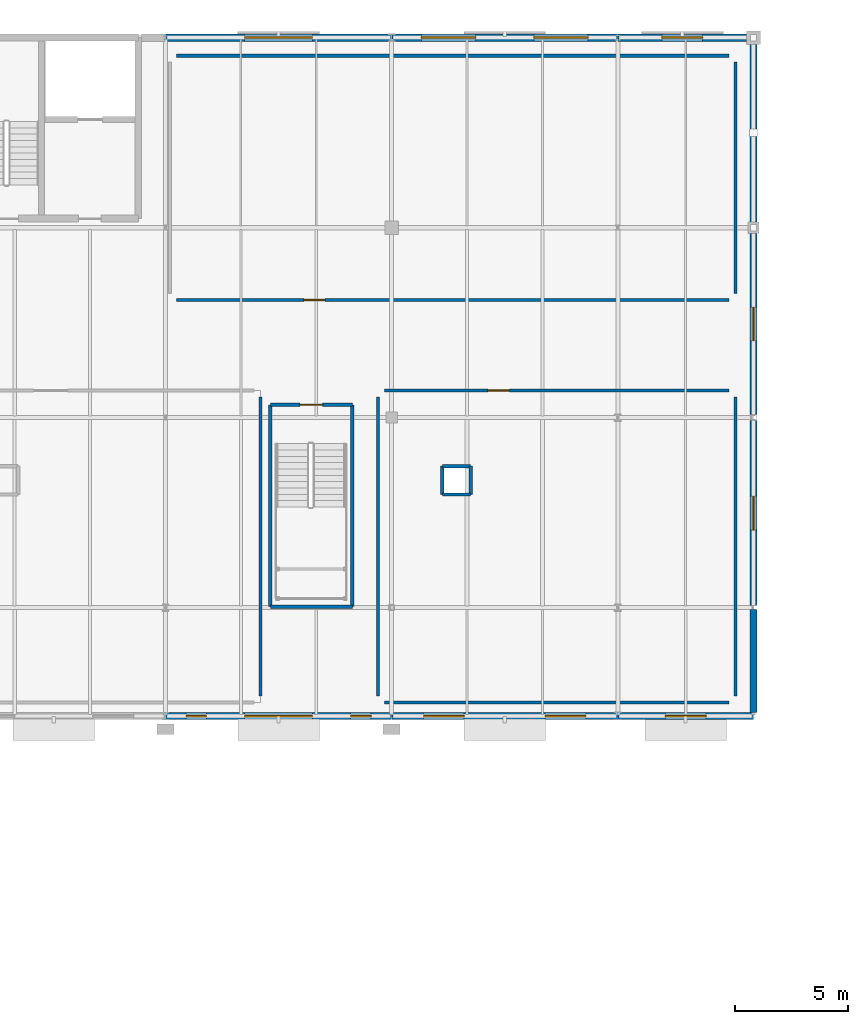
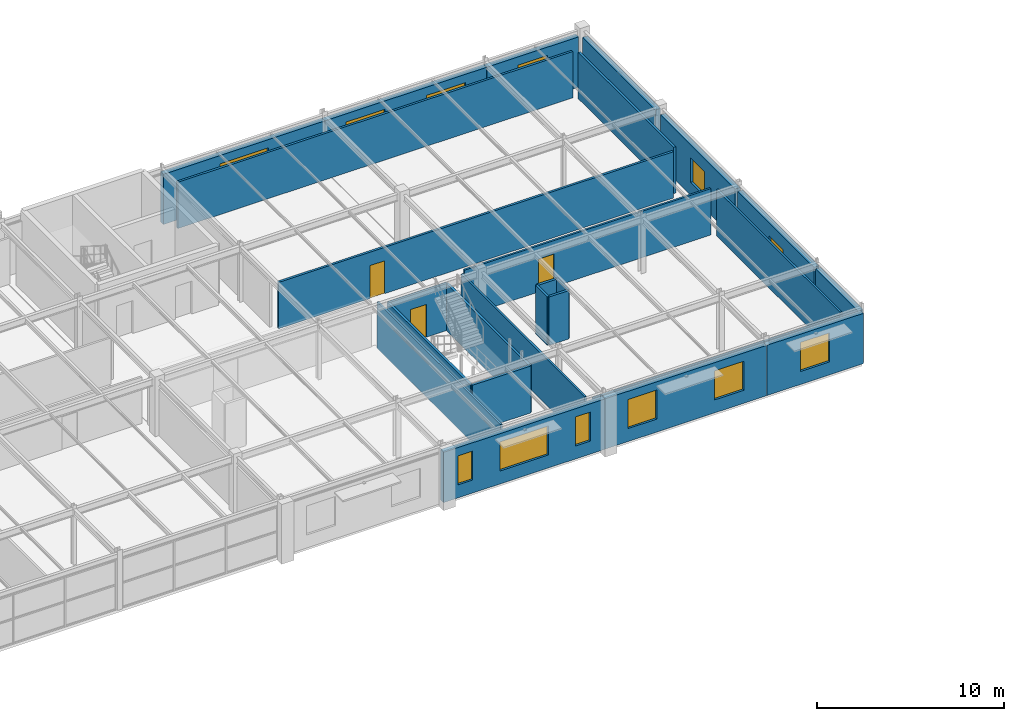
# One storey, part 82 of 98: 26 walls, 12 windows, 3 doors, 15 openings.
"""IFC4 building model written with IfcOpenShell, lengths in metres."""

from ifc_helpers import new_model, si_unit, derived_unit, direction, frame, frame_2d, origin, place, context, subcontext, project, spatial, rectangle, extrude, material, layer, layer_set, type_object, element, fill, save


model = new_model("IFC4")

# Units and contexts
model_context = context("Model", 3, precision=1e-05, world=origin(), true_north=direction((0.0, 1.0)))
body_context = subcontext(model_context, "Body", "Model", "MODEL_VIEW")
ifc_project = project(units=[si_unit("LENGTHUNIT", "METRE"), si_unit("AREAUNIT", "SQUARE_METRE"), si_unit("VOLUMEUNIT", "CUBIC_METRE"), si_unit("PLANEANGLEUNIT", "RADIAN"), si_unit("MASSUNIT", "GRAM", prefix="KILO"), derived_unit("THERMALTRANSMITTANCEUNIT", [(si_unit("POWERUNIT", "WATT"), 1), (si_unit("LENGTHUNIT", "METRE"), -2), (si_unit("THERMODYNAMICTEMPERATUREUNIT", "KELVIN"), -1)])], contexts=[model_context])

# Site, building, storey
site_placement = place(None, origin())
site = spatial("IfcSite", under=ifc_project, at=site_placement, CompositionType="ELEMENT")
building_placement = place(site_placement, origin())
building = spatial("IfcBuilding", under=site, at=building_placement, Name="Cinnabar Yard Market Hall", CompositionType="ELEMENT")
storey_placement = place(building_placement, frame((0.0, 0.0, 4.5)))
storey = spatial("IfcBuildingStorey", under=building, at=storey_placement, Name="L01", CompositionType="ELEMENT", Elevation=4.5)

# Walls
ifc_material_1 = material(Name="Acoustic steel-stud plasterboard", Category="steel")
ifc_layer_1 = layer(ifc_material_1, 0.1201171875)
ifc_layer_set_1 = layer_set([ifc_layer_1], Name="Acoustic steel-stud plasterboard")
wall_type_1 = type_object("IfcWallType", Name="WL-PT120", PredefinedType="PARTITIONING", material=ifc_layer_set_1)
wall_1_placement = place(storey_placement, frame((140.199951171875, 108.8798828125, 0.0), z_axis=(0.0, 0.0, 1.0), x_axis=(0.0, 1.0, 0.0)))
element("IfcWall", 1, at=wall_1_placement, inside=storey, type_object=wall_type_1, Name="Partition Regional Wine and Cider Tasting Room 104 east", PredefinedType="PARTITIONING", context=body_context, shape_type="SweptSolid", body=[
    extrude(rectangle(XDim=13.240234375, YDim=0.1201171875, at=frame_2d((6.6201171875, 0.0), x_axis=(1.0, 0.0))), origin(), (0.0, 0.0, 1.0), 3.030029296875),
])
wall_2_placement = place(storey_placement, frame((145.679931640625, 108.60009765625, 0.0), z_axis=(0.0, 0.0, 1.0), x_axis=(1.0, 0.0, 0.0)))
element("IfcWall", 2, at=wall_2_placement, inside=storey, type_object=wall_type_1, Name="Partition Botanical Vinegar and Pickle Studio 105 south", PredefinedType="PARTITIONING", context=body_context, shape_type="SweptSolid", body=[
    extrude(rectangle(XDim=15.239990234375, YDim=0.1201171875, at=frame_2d((7.6201171875, 0.0), x_axis=(1.0, 0.0))), origin(), (0.0, 0.0, 1.0), 3.030029296875),
])
wall_3_placement = place(storey_placement, frame((161.199951171875, 108.8798828125, 0.0), z_axis=(0.0, 0.0, 1.0), x_axis=(0.0, 1.0, 0.0)))
element("IfcWall", 3, at=wall_3_placement, inside=storey, type_object=wall_type_1, Name="Partition Botanical Vinegar and Pickle Studio 105 east", PredefinedType="PARTITIONING", context=body_context, shape_type="SweptSolid", body=[
    extrude(rectangle(XDim=13.240234375, YDim=0.1201171875, at=frame_2d((6.6201171875, 0.0), x_axis=(1.0, 0.0))), origin(), (0.0, 0.0, 1.0), 3.030029296875),
])

# Wall, opening, door
wall_4_placement = place(storey_placement, frame((160.919921875, 122.39990234375, 0.0), z_axis=(0.0, 0.0, 1.0), x_axis=(-1.0, 0.0, 0.0)))
wall_4 = element("IfcWall", 4, at=wall_4_placement, inside=storey, type_object=wall_type_1, Name="Partition Botanical Vinegar and Pickle Studio 105 north", PredefinedType="PARTITIONING", context=body_context, shape_type="SweptSolid", body=[
    extrude(rectangle(XDim=15.239990234375, YDim=0.1201171875, at=frame_2d((7.6201171875, 0.0), x_axis=(1.0, 0.0))), origin(), (0.0, 0.0, 1.0), 3.030029296875),
])
opening_1_placement = place(wall_4_placement, frame((9.71728515625, 0.0, 0.0)))
opening_1 = element("IfcOpeningElement", 5, at=opening_1_placement, cuts=wall_4, Name="Opening ID-156", PredefinedType="OPENING", context=body_context, shape_type="SweptSolid", body=[
    extrude(rectangle(XDim=0.949951171875, YDim=2.14990234375, at=frame_2d((0.47509765625, 1.074951171875), x_axis=(1.0, 0.0))), frame((0.0, 0.070068359375, 0.0), z_axis=(0.0, -1.0, 0.0), x_axis=(1.0, 0.0, 0.0)), (0.0, 0.0, 1.0), 0.14013671875),
])
ifc_material_2 = material(Name="Solid-core spotted gum timber", Category="wood")
door_type_1 = type_object("IfcDoorType", Name="DR-D06", OperationType="NOTDEFINED", PredefinedType="DOOR", material=ifc_material_2)
door_1_placement = place(opening_1_placement, origin())
door_1 = element("IfcDoor", 6, at=door_1_placement, inside=storey, type_object=door_type_1, Name="Interior Door ID-156", OperationType="SINGLE_SWING_LEFT", OverallHeight=2.14990234375, OverallWidth=0.949951171875, PredefinedType="DOOR", context=body_context, shape_type="SweptSolid", body=[
    extrude(rectangle(XDim=0.949951171875, YDim=2.14990234375, at=frame_2d((0.47509765625, 1.074951171875), x_axis=(1.0, 0.0))), frame((0.0, 0.02490234375, 0.0), z_axis=(0.0, -1.0, 0.0), x_axis=(1.0, 0.0, 0.0)), (0.0, 0.0, 1.0), 0.050048828125),
])
fill(opening_1, door_1)

# Wall
wall_5_placement = place(storey_placement, frame((145.39990234375, 122.1201171875, 0.0), z_axis=(0.0, 0.0, 1.0), x_axis=(0.0, -1.0, 0.0)))
element("IfcWall", 7, at=wall_5_placement, inside=storey, type_object=wall_type_1, Name="Partition Botanical Vinegar and Pickle Studio 105 west", PredefinedType="PARTITIONING", context=body_context, shape_type="SweptSolid", body=[
    extrude(rectangle(XDim=13.240234375, YDim=0.1201171875, at=frame_2d((6.6201171875, 0.0), x_axis=(1.0, 0.0))), origin(), (0.0, 0.0, 1.0), 3.030029296875),
])

# Wall, opening, door
ifc_material_3 = material(Name="Moisture-resistant tiled service wall")
ifc_layer_2 = layer(ifc_material_3, 0.139892578125)
ifc_layer_set_2 = layer_set([ifc_layer_2], Name="Moisture-resistant tiled service wall")
wall_type_2 = type_object("IfcWallType", Name="WL-PT140", PredefinedType="PLUMBINGWALL", material=ifc_layer_set_2)
wall_6_placement = place(storey_placement, frame((136.47998046875, 126.39990234375, 0.0), z_axis=(0.0, 0.0, 1.0), x_axis=(1.0, 0.0, 0.0)))
wall_6 = element("IfcWall", 8, at=wall_6_placement, inside=storey, type_object=wall_type_2, Name="Partition L01 Studios Male, Female and Accessible WC south", PredefinedType="PLUMBINGWALL", context=body_context, shape_type="SweptSolid", body=[
    extrude(rectangle(XDim=24.43994140625, YDim=0.139892578125, at=frame_2d((12.219970703125, 0.0), x_axis=(1.0, 0.0))), origin(), (0.0, 0.0, 1.0), 3.030029296875),
])
opening_2_placement = place(wall_6_placement, frame((5.644775390625, 0.0, 0.0)))
opening_2 = element("IfcOpeningElement", 9, at=opening_2_placement, cuts=wall_6, Name="Opening ID-159", PredefinedType="OPENING", context=body_context, shape_type="SweptSolid", body=[
    extrude(rectangle(XDim=0.919921875, YDim=2.14990234375, at=frame_2d((0.4599609375, 1.074951171875), x_axis=(1.0, 0.0))), frame((0.0, 0.079833984375, 0.0), z_axis=(0.0, -1.0, 0.0), x_axis=(1.0, 0.0, 0.0)), (0.0, 0.0, 1.0), 0.159912109375),
])
door_type_2 = type_object("IfcDoorType", Name="DR-D07", OperationType="NOTDEFINED", PredefinedType="DOOR", material=ifc_material_2)
door_2_placement = place(opening_2_placement, origin())
door_2 = element("IfcDoor", 10, at=door_2_placement, inside=storey, type_object=door_type_2, Name="Interior Door ID-159", OperationType="SINGLE_SWING_RIGHT", OverallHeight=2.14990234375, OverallWidth=0.919921875, PredefinedType="DOOR", context=body_context, shape_type="SweptSolid", body=[
    extrude(rectangle(XDim=0.919921875, YDim=2.14990234375, at=frame_2d((0.4599609375, 1.074951171875), x_axis=(1.0, 0.0))), frame((0.0, 0.02490234375, 0.0), z_axis=(0.0, -1.0, 0.0), x_axis=(1.0, 0.0, 0.0)), (0.0, 0.0, 1.0), 0.050048828125),
])
fill(opening_2, door_2)

# Walls
wall_7_placement = place(storey_placement, frame((161.199951171875, 126.679931640625, 0.0), z_axis=(0.0, 0.0, 1.0), x_axis=(0.0, 1.0, 0.0)))
element("IfcWall", 11, at=wall_7_placement, inside=storey, type_object=wall_type_2, Name="Partition L01 Studios Male, Female and Accessible WC east", PredefinedType="PLUMBINGWALL", context=body_context, shape_type="SweptSolid", body=[
    extrude(rectangle(XDim=10.239990234375, YDim=0.139892578125, at=frame_2d((5.1201171875, 0.0), x_axis=(1.0, 0.0))), origin(), (0.0, 0.0, 1.0), 3.030029296875),
])
wall_8_placement = place(storey_placement, frame((160.919921875, 137.199951171875, 0.0), z_axis=(0.0, 0.0, 1.0), x_axis=(-1.0, 0.0, 0.0)))
element("IfcWall", 12, at=wall_8_placement, inside=storey, type_object=wall_type_2, Name="Partition L01 Studios Male, Female and Accessible WC north", PredefinedType="PLUMBINGWALL", context=body_context, shape_type="SweptSolid", body=[
    extrude(rectangle(XDim=24.43994140625, YDim=0.139892578125, at=frame_2d((12.219970703125, 0.0), x_axis=(1.0, 0.0))), origin(), (0.0, 0.0, 1.0), 3.030029296875),
])
ifc_material_4 = material(Name="Fire-rated steel-stud plasterboard", Category="steel")
ifc_layer_3 = layer(ifc_material_4, 0.14990234375)
ifc_layer_set_3 = layer_set([ifc_layer_3], Name="Fire-rated steel-stud plasterboard")
wall_type_3 = type_object("IfcWallType", Name="WL-PT150", PredefinedType="PARTITIONING", material=ifc_layer_set_3)
for number, where, z_axis, x_axis, name in (
    (13, (140.639892578125, 121.760009765625, 0.0), (0.0, 0.0, 1.0), (0.0, -1.0, 0.0), "Stair ST-F6 Shaft Wall W L01"),
    (14, (144.260009765625, 112.840087890625, 0.0), (0.0, 0.0, 1.0), (0.0, 1.0, 0.0), "Stair ST-F6 Shaft Wall E L01"),
):
    element("IfcWall", number, at=place(storey_placement, frame(where, z_axis=z_axis, x_axis=x_axis)), inside=storey, type_object=wall_type_3, Name=name, PredefinedType="PARTITIONING", context=body_context, shape_type="SweptSolid", body=[
        extrude(rectangle(XDim=8.919921875, YDim=0.14990234375, at=frame_2d((4.4599609375, 0.0), x_axis=(1.0, 0.0))), origin(), (0.0, 0.0, 1.0), 3.070068359375),
    ])
wall_9_placement = place(storey_placement, frame((140.639892578125, 112.840087890625, 0.0), z_axis=(0.0, 0.0, 1.0), x_axis=(1.0, 0.0, 0.0)))
element("IfcWall", 15, at=wall_9_placement, inside=storey, type_object=wall_type_3, Name="Stair ST-F6 Shaft Wall S L01", PredefinedType="PARTITIONING", context=body_context, shape_type="SweptSolid", body=[
    extrude(rectangle(XDim=3.6201171875, YDim=0.14990234375, at=frame_2d((1.81005859375, 0.0), x_axis=(1.0, 0.0))), origin(), (0.0, 0.0, 1.0), 3.070068359375),
])

# Wall, opening, door
wall_10_placement = place(storey_placement, frame((144.260009765625, 121.760009765625, 0.0), z_axis=(0.0, 0.0, 1.0), x_axis=(-1.0, 0.0, 0.0)))
wall_10 = element("IfcWall", 16, at=wall_10_placement, inside=storey, type_object=wall_type_3, Name="Stair ST-F6 Shaft Wall N L01", PredefinedType="PARTITIONING", context=body_context, shape_type="SweptSolid", body=[
    extrude(rectangle(XDim=3.6201171875, YDim=0.14990234375, at=frame_2d((1.81005859375, 0.0), x_axis=(1.0, 0.0))), origin(), (0.0, 0.0, 1.0), 3.070068359375),
])
opening_3_placement = place(wall_10_placement, frame((1.31005859375, 0.0, 0.0)))
opening_3 = element("IfcOpeningElement", 17, at=opening_3_placement, cuts=wall_10, Name="Opening CD-082", PredefinedType="OPENING", context=body_context, shape_type="SweptSolid", body=[
    extrude(rectangle(XDim=1.0, YDim=2.14990234375, at=frame_2d((0.5, 1.074951171875), x_axis=(1.0, 0.0))), frame((0.0, 0.0849609375, 0.0), z_axis=(0.0, -1.0, 0.0), x_axis=(1.0, 0.0, 0.0)), (0.0, 0.0, 1.0), 0.169921875),
])
door_type_3 = type_object("IfcDoorType", Name="DR-D05", OperationType="NOTDEFINED", PredefinedType="DOOR", material=ifc_material_2)
door_3_placement = place(opening_3_placement, origin())
door_3 = element("IfcDoor", 18, at=door_3_placement, inside=storey, type_object=door_type_3, Name="Stair Door CD-082", OperationType="SINGLE_SWING_LEFT", OverallHeight=2.14990234375, OverallWidth=1.0, PredefinedType="DOOR", context=body_context, shape_type="SweptSolid", body=[
    extrude(rectangle(XDim=1.0, YDim=2.14990234375, at=frame_2d((0.5, 1.074951171875), x_axis=(1.0, 0.0))), frame((0.0, 0.02490234375, 0.0), z_axis=(0.0, -1.0, 0.0), x_axis=(1.0, 0.0, 0.0)), (0.0, 0.0, 1.0), 0.050048828125),
])
fill(opening_3, door_3)

# Walls
for number, where, z_axis, x_axis, name in (
    (19, (148.239990234375, 117.800048828125, 0.0), (0.0, 0.0, 1.0), (1.0, 0.0, 0.0), "Service Shaft Wall L01-5-1"),
    (20, (149.489990234375, 117.800048828125, 0.0), (0.0, 0.0, 1.0), (0.0, 1.0, 0.0), "Service Shaft Wall L01-5-2"),
    (21, (149.489990234375, 119.050048828125, 0.0), (0.0, 0.0, 1.0), (-1.0, 0.0, 0.0), "Service Shaft Wall L01-5-3"),
    (22, (148.239990234375, 119.050048828125, 0.0), (0.0, 0.0, 1.0), (0.0, -1.0, 0.0), "Service Shaft Wall L01-5-4"),
):
    element("IfcWall", number, at=place(storey_placement, frame(where, z_axis=z_axis, x_axis=x_axis)), inside=storey, type_object=wall_type_3, Name=name, PredefinedType="PARTITIONING", context=body_context, shape_type="SweptSolid", body=[
        extrude(rectangle(XDim=1.25, YDim=0.14990234375, at=frame_2d((0.625, 0.0), x_axis=(1.0, 0.0))), origin(), (0.0, 0.0, 1.0), 3.169921875),
    ])

# Wall, openings, windows
ifc_material_5 = material(Name="Cream limestone and Concrete 32 MPa", Category="masonry")
ifc_layer_4 = layer(ifc_material_5, 0.320068359375)
ifc_layer_set_4 = layer_set([ifc_layer_4], Name="Cream limestone and Concrete 32 MPa")
wall_type_4 = type_object("IfcWallType", Name="WL-W-EXT2", PredefinedType="SOLIDWALL", material=ifc_layer_set_4)
wall_11_placement = place(storey_placement, frame((136.010009765625, 108.0, 0.0), z_axis=(0.0, 0.0, 1.0), x_axis=(1.0, 0.0, 0.0)))
wall_11 = element("IfcWall", 23, at=wall_11_placement, inside=storey, type_object=wall_type_4, Name="Wing South Wall L01 Bay 8", PredefinedType="SOLIDWALL", context=body_context, shape_type="SweptSolid", body=[
    extrude(rectangle(XDim=9.97998046875, YDim=0.320068359375, at=frame_2d((4.989990234375, 0.0), x_axis=(1.0, 0.0))), origin(), (0.0, 0.0, 1.0), 3.2900390625),
])
opening_4_placement = place(wall_11_placement, frame((3.489990234375, 0.0, 0.85009765625)))
opening_4 = element("IfcOpeningElement", 24, at=opening_4_placement, cuts=wall_11, Name="Opening W09", PredefinedType="OPENING", context=body_context, shape_type="SweptSolid", body=[
    extrude(rectangle(XDim=3.0, YDim=1.89990234375, at=frame_2d((1.5, 0.949951171875), x_axis=(1.0, 0.0))), frame((0.0, 0.169921875, 0.0), z_axis=(0.0, -1.0, 0.0), x_axis=(1.0, 0.0, 0.0)), (0.0, 0.0, 1.0), 0.340087890625),
])
opening_5_placement = place(wall_11_placement, frame((0.89990234375, 0.0, 0.85009765625)))
opening_5 = element("IfcOpeningElement", 25, at=opening_5_placement, cuts=wall_11, Name="Opening W10", PredefinedType="OPENING", context=body_context, shape_type="SweptSolid", body=[
    extrude(rectangle(XDim=0.89990234375, YDim=1.89990234375, at=frame_2d((0.449951171875, 0.949951171875), x_axis=(1.0, 0.0))), frame((0.0, 0.169921875, 0.0), z_axis=(0.0, -1.0, 0.0), x_axis=(1.0, 0.0, 0.0)), (0.0, 0.0, 1.0), 0.340087890625),
])
opening_6_placement = place(wall_11_placement, frame((8.179931640625, 0.0, 0.85009765625)))
opening_6 = element("IfcOpeningElement", 26, at=opening_6_placement, cuts=wall_11, Name="Opening W10", PredefinedType="OPENING", context=body_context, shape_type="SweptSolid", body=[
    extrude(rectangle(XDim=0.89990234375, YDim=1.89990234375, at=frame_2d((0.449951171875, 0.949951171875), x_axis=(1.0, 0.0))), frame((0.0, 0.169921875, 0.0), z_axis=(0.0, -1.0, 0.0), x_axis=(1.0, 0.0, 0.0)), (0.0, 0.0, 1.0), 0.340087890625),
])
ifc_material_6 = material(Name="Solar-control double glazing in bronze aluminium", Category="aluminium")
window_type_1 = type_object("IfcWindowType", Name="WN-W09", PartitioningType="SINGLE_PANEL", PredefinedType="WINDOW", material=ifc_material_6)
window_1_placement = place(opening_4_placement, origin())
window_1 = element("IfcWindow", 27, at=window_1_placement, inside=storey, type_object=window_type_1, Name="Window WN-V3S-L01-8M", OverallHeight=1.89990234375, OverallWidth=3.0, PartitioningType="SINGLE_PANEL", PredefinedType="WINDOW", context=body_context, shape_type="SweptSolid", body=[
    extrude(rectangle(XDim=3.0, YDim=1.89990234375, at=frame_2d((1.5, 0.949951171875), x_axis=(1.0, 0.0))), frame((0.0, 0.030029296875, 0.0), z_axis=(0.0, -1.0, 0.0), x_axis=(1.0, 0.0, 0.0)), (0.0, 0.0, 1.0), 0.06005859375),
])
fill(opening_4, window_1)
ifc_material_7 = material(Name="Narrow Mughal lancet glazing in bronze aluminium", Category="aluminium")
window_type_2 = type_object("IfcWindowType", Name="WN-W10", PartitioningType="SINGLE_PANEL", PredefinedType="WINDOW", material=ifc_material_7)
window_2_placement = place(opening_5_placement, origin())
window_2 = element("IfcWindow", 28, at=window_2_placement, inside=storey, type_object=window_type_2, Name="Window WN-V3S-L01-8L", OverallHeight=1.89990234375, OverallWidth=0.89990234375, PartitioningType="SINGLE_PANEL", PredefinedType="WINDOW", context=body_context, shape_type="SweptSolid", body=[
    extrude(rectangle(XDim=0.89990234375, YDim=1.89990234375, at=frame_2d((0.449951171875, 0.949951171875), x_axis=(1.0, 0.0))), frame((0.0, 0.030029296875, 0.0), z_axis=(0.0, -1.0, 0.0), x_axis=(1.0, 0.0, 0.0)), (0.0, 0.0, 1.0), 0.06005859375),
])
fill(opening_5, window_2)
window_3_placement = place(opening_6_placement, origin())
window_3 = element("IfcWindow", 29, at=window_3_placement, inside=storey, type_object=window_type_2, Name="Window WN-V3S-L01-8R", OverallHeight=1.89990234375, OverallWidth=0.89990234375, PartitioningType="SINGLE_PANEL", PredefinedType="WINDOW", context=body_context, shape_type="SweptSolid", body=[
    extrude(rectangle(XDim=0.89990234375, YDim=1.89990234375, at=frame_2d((0.449951171875, 0.949951171875), x_axis=(1.0, 0.0))), frame((0.0, 0.030029296875, 0.0), z_axis=(0.0, -1.0, 0.0), x_axis=(1.0, 0.0, 0.0)), (0.0, 0.0, 1.0), 0.06005859375),
])
fill(opening_6, window_3)

# Wall, opening, window
wall_12_placement = place(storey_placement, frame((145.98828125, 138.0, 0.0), z_axis=(0.0, 0.0, 1.0), x_axis=(-1.0, 0.0, 0.0)))
wall_12 = element("IfcWall", 30, at=wall_12_placement, inside=storey, type_object=wall_type_4, Name="Wing North Wall L01 Bay 8", PredefinedType="SOLIDWALL", context=body_context, shape_type="SweptSolid", body=[
    extrude(rectangle(XDim=9.978271484375, YDim=0.320068359375, at=frame_2d((4.9892578125, 0.0), x_axis=(1.0, 0.0))), origin(), (0.0, 0.0, 1.0), 3.2900390625),
])
opening_7_placement = place(wall_12_placement, frame((3.489013671875, 0.0, 0.85009765625)))
opening_7 = element("IfcOpeningElement", 31, at=opening_7_placement, cuts=wall_12, Name="Opening W09", PredefinedType="OPENING", context=body_context, shape_type="SweptSolid", body=[
    extrude(rectangle(XDim=3.0, YDim=1.89990234375, at=frame_2d((1.5, 0.949951171875), x_axis=(1.0, 0.0))), frame((0.0, 0.169921875, 0.0), z_axis=(0.0, -1.0, 0.0), x_axis=(1.0, 0.0, 0.0)), (0.0, 0.0, 1.0), 0.340087890625),
])
window_4_placement = place(opening_7_placement, origin())
window_4 = element("IfcWindow", 32, at=window_4_placement, inside=storey, type_object=window_type_1, Name="Window WN-V3N-L01-8M", OverallHeight=1.89990234375, OverallWidth=3.0, PartitioningType="SINGLE_PANEL", PredefinedType="WINDOW", context=body_context, shape_type="SweptSolid", body=[
    extrude(rectangle(XDim=3.0, YDim=1.89990234375, at=frame_2d((1.5, 0.949951171875), x_axis=(1.0, 0.0))), frame((0.0, 0.030029296875, 0.0), z_axis=(0.0, -1.0, 0.0), x_axis=(1.0, 0.0, 0.0)), (0.0, 0.0, 1.0), 0.06005859375),
])
fill(opening_7, window_4)

# Wall, openings, windows
wall_13_placement = place(storey_placement, frame((146.010009765625, 108.0, 0.0), z_axis=(0.0, 0.0, 1.0), x_axis=(1.0, 0.0, 0.0)))
wall_13 = element("IfcWall", 33, at=wall_13_placement, inside=storey, type_object=wall_type_4, Name="Wing South Wall L01 Bay 9", PredefinedType="SOLIDWALL", context=body_context, shape_type="SweptSolid", body=[
    extrude(rectangle(XDim=9.97900390625, YDim=0.320068359375, at=frame_2d((4.989501953125, 0.0), x_axis=(1.0, 0.0))), origin(), (0.0, 0.0, 1.0), 3.2900390625),
])
opening_8_placement = place(wall_13_placement, frame((1.39990234375, 0.0, 0.85009765625)))
opening_8 = element("IfcOpeningElement", 34, at=opening_8_placement, cuts=wall_13, Name="Opening W07", PredefinedType="OPENING", context=body_context, shape_type="SweptSolid", body=[
    extrude(rectangle(XDim=1.800048828125, YDim=1.89990234375, at=frame_2d((0.89990234375, 0.949951171875), x_axis=(1.0, 0.0))), frame((0.0, 0.169921875, 0.0), z_axis=(0.0, -1.0, 0.0), x_axis=(1.0, 0.0, 0.0)), (0.0, 0.0, 1.0), 0.340087890625),
])
opening_9_placement = place(wall_13_placement, frame((6.779052734375, 0.0, 0.85009765625)))
opening_9 = element("IfcOpeningElement", 35, at=opening_9_placement, cuts=wall_13, Name="Opening W07", PredefinedType="OPENING", context=body_context, shape_type="SweptSolid", body=[
    extrude(rectangle(XDim=1.800048828125, YDim=1.89990234375, at=frame_2d((0.89990234375, 0.949951171875), x_axis=(1.0, 0.0))), frame((0.0, 0.169921875, 0.0), z_axis=(0.0, -1.0, 0.0), x_axis=(1.0, 0.0, 0.0)), (0.0, 0.0, 1.0), 0.340087890625),
])
ifc_material_8 = material(Name="Low-E double glazing in bronze aluminium", Category="aluminium")
window_type_3 = type_object("IfcWindowType", Name="WN-W07", PartitioningType="SINGLE_PANEL", PredefinedType="WINDOW", material=ifc_material_8)
window_5_placement = place(opening_8_placement, origin())
window_5 = element("IfcWindow", 36, at=window_5_placement, inside=storey, type_object=window_type_3, Name="Window WN-V3S-L01-9A", OverallHeight=1.89990234375, OverallWidth=1.800048828125, PartitioningType="SINGLE_PANEL", PredefinedType="WINDOW", context=body_context, shape_type="SweptSolid", body=[
    extrude(rectangle(XDim=1.800048828125, YDim=1.89990234375, at=frame_2d((0.89990234375, 0.949951171875), x_axis=(1.0, 0.0))), frame((0.0, 0.030029296875, 0.0), z_axis=(0.0, -1.0, 0.0), x_axis=(1.0, 0.0, 0.0)), (0.0, 0.0, 1.0), 0.06005859375),
])
fill(opening_8, window_5)
window_6_placement = place(opening_9_placement, origin())
window_6 = element("IfcWindow", 37, at=window_6_placement, inside=storey, type_object=window_type_3, Name="Window WN-V3S-L01-9B", OverallHeight=1.89990234375, OverallWidth=1.800048828125, PartitioningType="SINGLE_PANEL", PredefinedType="WINDOW", context=body_context, shape_type="SweptSolid", body=[
    extrude(rectangle(XDim=1.800048828125, YDim=1.89990234375, at=frame_2d((0.89990234375, 0.949951171875), x_axis=(1.0, 0.0))), frame((0.0, 0.030029296875, 0.0), z_axis=(0.0, -1.0, 0.0), x_axis=(1.0, 0.0, 0.0)), (0.0, 0.0, 1.0), 0.06005859375),
])
fill(opening_9, window_6)

wall_14_placement = place(storey_placement, frame((155.989990234375, 138.0, 0.0), z_axis=(0.0, 0.0, 1.0), x_axis=(-1.0, 0.0, 0.0)))
wall_14 = element("IfcWall", 38, at=wall_14_placement, inside=storey, type_object=wall_type_4, Name="Wing North Wall L01 Bay 9", PredefinedType="SOLIDWALL", context=body_context, shape_type="SweptSolid", body=[
    extrude(rectangle(XDim=9.978271484375, YDim=0.320068359375, at=frame_2d((4.9892578125, 0.0), x_axis=(1.0, 0.0))), origin(), (0.0, 0.0, 1.0), 3.2900390625),
])
opening_10_placement = place(wall_14_placement, frame((1.300048828125, 0.0, 0.85009765625)))
opening_10 = element("IfcOpeningElement", 39, at=opening_10_placement, cuts=wall_14, Name="Opening W08", PredefinedType="OPENING", context=body_context, shape_type="SweptSolid", body=[
    extrude(rectangle(XDim=2.39990234375, YDim=1.89990234375, at=frame_2d((1.199951171875, 0.949951171875), x_axis=(1.0, 0.0))), frame((0.0, 0.169921875, 0.0), z_axis=(0.0, -1.0, 0.0), x_axis=(1.0, 0.0, 0.0)), (0.0, 0.0, 1.0), 0.340087890625),
])
opening_11_placement = place(wall_14_placement, frame((6.2783203125, 0.0, 0.85009765625)))
opening_11 = element("IfcOpeningElement", 40, at=opening_11_placement, cuts=wall_14, Name="Opening W08", PredefinedType="OPENING", context=body_context, shape_type="SweptSolid", body=[
    extrude(rectangle(XDim=2.39990234375, YDim=1.89990234375, at=frame_2d((1.199951171875, 0.949951171875), x_axis=(1.0, 0.0))), frame((0.0, 0.169921875, 0.0), z_axis=(0.0, -1.0, 0.0), x_axis=(1.0, 0.0, 0.0)), (0.0, 0.0, 1.0), 0.340087890625),
])
window_type_4 = type_object("IfcWindowType", Name="WN-W08", PartitioningType="SINGLE_PANEL", PredefinedType="WINDOW", material=ifc_material_8)
window_7_placement = place(opening_10_placement, origin())
window_7 = element("IfcWindow", 41, at=window_7_placement, inside=storey, type_object=window_type_4, Name="Window WN-V3N-L01-9A", OverallHeight=1.89990234375, OverallWidth=2.39990234375, PartitioningType="SINGLE_PANEL", PredefinedType="WINDOW", context=body_context, shape_type="SweptSolid", body=[
    extrude(rectangle(XDim=2.39990234375, YDim=1.89990234375, at=frame_2d((1.199951171875, 0.949951171875), x_axis=(1.0, 0.0))), frame((0.0, 0.030029296875, 0.0), z_axis=(0.0, -1.0, 0.0), x_axis=(1.0, 0.0, 0.0)), (0.0, 0.0, 1.0), 0.06005859375),
])
fill(opening_10, window_7)
window_8_placement = place(opening_11_placement, origin())
window_8 = element("IfcWindow", 42, at=window_8_placement, inside=storey, type_object=window_type_4, Name="Window WN-V3N-L01-9B", OverallHeight=1.89990234375, OverallWidth=2.39990234375, PartitioningType="SINGLE_PANEL", PredefinedType="WINDOW", context=body_context, shape_type="SweptSolid", body=[
    extrude(rectangle(XDim=2.39990234375, YDim=1.89990234375, at=frame_2d((1.199951171875, 0.949951171875), x_axis=(1.0, 0.0))), frame((0.0, 0.030029296875, 0.0), z_axis=(0.0, -1.0, 0.0), x_axis=(1.0, 0.0, 0.0)), (0.0, 0.0, 1.0), 0.06005859375),
])
fill(opening_11, window_8)

# Wall, opening, window
wall_15_placement = place(storey_placement, frame((156.010986328125, 108.0, 0.0), z_axis=(0.0, 0.0, 1.0), x_axis=(1.0, 0.0, 0.0)))
wall_15 = element("IfcWall", 43, at=wall_15_placement, inside=storey, type_object=wall_type_4, Name="Wing South Wall L01 Bay 10", PredefinedType="SOLIDWALL", context=body_context, shape_type="SweptSolid", body=[
    extrude(rectangle(XDim=5.97900390625, YDim=0.320068359375, at=frame_2d((2.989501953125, 0.0), x_axis=(1.0, 0.0))), origin(), (0.0, 0.0, 1.0), 3.2900390625),
])
opening_12_placement = place(wall_15_placement, frame((2.089599609375, 0.0, 0.85009765625)))
opening_12 = element("IfcOpeningElement", 44, at=opening_12_placement, cuts=wall_15, Name="Opening W07", PredefinedType="OPENING", context=body_context, shape_type="SweptSolid", body=[
    extrude(rectangle(XDim=1.800048828125, YDim=1.89990234375, at=frame_2d((0.89990234375, 0.949951171875), x_axis=(1.0, 0.0))), frame((0.0, 0.169921875, 0.0), z_axis=(0.0, -1.0, 0.0), x_axis=(1.0, 0.0, 0.0)), (0.0, 0.0, 1.0), 0.340087890625),
])
window_9_placement = place(opening_12_placement, origin())
window_9 = element("IfcWindow", 45, at=window_9_placement, inside=storey, type_object=window_type_3, Name="Window WN-V3S-L01-10", OverallHeight=1.89990234375, OverallWidth=1.800048828125, PartitioningType="SINGLE_PANEL", PredefinedType="WINDOW", context=body_context, shape_type="SweptSolid", body=[
    extrude(rectangle(XDim=1.800048828125, YDim=1.89990234375, at=frame_2d((0.89990234375, 0.949951171875), x_axis=(1.0, 0.0))), frame((0.0, 0.030029296875, 0.0), z_axis=(0.0, -1.0, 0.0), x_axis=(1.0, 0.0, 0.0)), (0.0, 0.0, 1.0), 0.06005859375),
])
fill(opening_12, window_9)

wall_16_placement = place(storey_placement, frame((161.696044921875, 138.0, 0.0), z_axis=(0.0, 0.0, 1.0), x_axis=(-1.0, 0.0, 0.0)))
wall_16 = element("IfcWall", 46, at=wall_16_placement, inside=storey, type_object=wall_type_4, Name="Wing North Wall L01 Bay 10", PredefinedType="SOLIDWALL", context=body_context, shape_type="SweptSolid", body=[
    extrude(rectangle(XDim=5.68603515625, YDim=0.320068359375, at=frame_2d((2.843017578125, 0.0), x_axis=(1.0, 0.0))), origin(), (0.0, 0.0, 1.0), 3.2900390625),
])
opening_13_placement = place(wall_16_placement, frame((1.943115234375, 0.0, 0.85009765625)))
opening_13 = element("IfcOpeningElement", 47, at=opening_13_placement, cuts=wall_16, Name="Opening W07", PredefinedType="OPENING", context=body_context, shape_type="SweptSolid", body=[
    extrude(rectangle(XDim=1.800048828125, YDim=1.89990234375, at=frame_2d((0.89990234375, 0.949951171875), x_axis=(1.0, 0.0))), frame((0.0, 0.169921875, 0.0), z_axis=(0.0, -1.0, 0.0), x_axis=(1.0, 0.0, 0.0)), (0.0, 0.0, 1.0), 0.340087890625),
])
window_10_placement = place(opening_13_placement, origin())
window_10 = element("IfcWindow", 48, at=window_10_placement, inside=storey, type_object=window_type_3, Name="Window WN-V3N-L01-10", OverallHeight=1.89990234375, OverallWidth=1.800048828125, PartitioningType="SINGLE_PANEL", PredefinedType="WINDOW", context=body_context, shape_type="SweptSolid", body=[
    extrude(rectangle(XDim=1.800048828125, YDim=1.89990234375, at=frame_2d((0.89990234375, 0.949951171875), x_axis=(1.0, 0.0))), frame((0.0, 0.030029296875, 0.0), z_axis=(0.0, -1.0, 0.0), x_axis=(1.0, 0.0, 0.0)), (0.0, 0.0, 1.0), 0.06005859375),
])
fill(opening_13, window_10)

# Wall
wall_17_placement = place(storey_placement, frame((162.0, 108.155029296875, 0.0), z_axis=(0.0, 0.0, 1.0), x_axis=(0.0, 1.0, 0.0)))
element("IfcWall", 49, at=wall_17_placement, inside=storey, type_object=wall_type_4, Name="Wing East End Wall L01 Seg 1", PredefinedType="SOLIDWALL", context=body_context, shape_type="SweptSolid", body=[
    extrude(rectangle(XDim=4.564697265625, YDim=0.320068359375, at=frame_2d((2.2822265625, 0.0), x_axis=(1.0, 0.0))), origin(), (0.0, 0.0, 1.0), 3.2900390625),
])

# Wall, opening, window
wall_18_placement = place(storey_placement, frame((162.0, 112.880126953125, 0.0), z_axis=(0.0, 0.0, 1.0), x_axis=(0.0, 1.0, 0.0)))
wall_18 = element("IfcWall", 50, at=wall_18_placement, inside=storey, type_object=wall_type_4, Name="Wing East End Wall L01 Seg 2", PredefinedType="SOLIDWALL", context=body_context, shape_type="SweptSolid", body=[
    extrude(rectangle(XDim=8.189453125, YDim=0.320068359375, at=frame_2d((4.0947265625, 0.0), x_axis=(1.0, 0.0))), origin(), (0.0, 0.0, 1.0), 3.2900390625),
])
opening_14_placement = place(wall_18_placement, frame((3.3447265625, 0.0, 0.85009765625)))
opening_14 = element("IfcOpeningElement", 51, at=opening_14_placement, cuts=wall_18, Name="Opening W03", PredefinedType="OPENING", context=body_context, shape_type="SweptSolid", body=[
    extrude(rectangle(XDim=1.5, YDim=1.60009765625, at=frame_2d((0.75, 0.800048828125), x_axis=(1.0, 0.0))), frame((0.0, 0.169921875, 0.0), z_axis=(0.0, -1.0, 0.0), x_axis=(1.0, 0.0, 0.0)), (0.0, 0.0, 1.0), 0.340087890625),
])
window_type_5 = type_object("IfcWindowType", Name="WN-W03", PartitioningType="SINGLE_PANEL", PredefinedType="WINDOW", material=ifc_material_8)
window_11_placement = place(opening_14_placement, origin())
window_11 = element("IfcWindow", 52, at=window_11_placement, inside=storey, type_object=window_type_5, Name="Window WN-V3E-L01-2", OverallHeight=1.60009765625, OverallWidth=1.5, PartitioningType="SINGLE_PANEL", PredefinedType="WINDOW", context=body_context, shape_type="SweptSolid", body=[
    extrude(rectangle(XDim=1.5, YDim=1.60009765625, at=frame_2d((0.75, 0.800048828125), x_axis=(1.0, 0.0))), frame((0.0, 0.030029296875, 0.0), z_axis=(0.0, -1.0, 0.0), x_axis=(1.0, 0.0, 0.0)), (0.0, 0.0, 1.0), 0.06005859375),
])
fill(opening_14, window_11)

wall_19_placement = place(storey_placement, frame((162.0, 121.33056640625, 0.0), z_axis=(0.0, 0.0, 1.0), x_axis=(0.0, 1.0, 0.0)))
wall_19 = element("IfcWall", 53, at=wall_19_placement, inside=storey, type_object=wall_type_4, Name="Wing East End Wall L01 Seg 3", PredefinedType="SOLIDWALL", context=body_context, shape_type="SweptSolid", body=[
    extrude(rectangle(XDim=8.015380859375, YDim=0.320068359375, at=frame_2d((4.0078125, 0.0), x_axis=(1.0, 0.0))), origin(), (0.0, 0.0, 1.0), 3.2900390625),
])
opening_15_placement = place(wall_19_placement, frame((3.2578125, 0.0, 0.85009765625)))
opening_15 = element("IfcOpeningElement", 54, at=opening_15_placement, cuts=wall_19, Name="Opening W03", PredefinedType="OPENING", context=body_context, shape_type="SweptSolid", body=[
    extrude(rectangle(XDim=1.5, YDim=1.60009765625, at=frame_2d((0.75, 0.800048828125), x_axis=(1.0, 0.0))), frame((0.0, 0.169921875, 0.0), z_axis=(0.0, -1.0, 0.0), x_axis=(1.0, 0.0, 0.0)), (0.0, 0.0, 1.0), 0.340087890625),
])
window_12_placement = place(opening_15_placement, origin())
window_12 = element("IfcWindow", 55, at=window_12_placement, inside=storey, type_object=window_type_5, Name="Window WN-V3E-L01-3", OverallHeight=1.60009765625, OverallWidth=1.5, PartitioningType="SINGLE_PANEL", PredefinedType="WINDOW", context=body_context, shape_type="SweptSolid", body=[
    extrude(rectangle(XDim=1.5, YDim=1.60009765625, at=frame_2d((0.75, 0.800048828125), x_axis=(1.0, 0.0))), frame((0.0, 0.030029296875, 0.0), z_axis=(0.0, -1.0, 0.0), x_axis=(1.0, 0.0, 0.0)), (0.0, 0.0, 1.0), 0.06005859375),
])
fill(opening_15, window_12)

# Wall
wall_20_placement = place(storey_placement, frame((162.0, 129.85400390625, 0.0), z_axis=(0.0, 0.0, 1.0), x_axis=(0.0, 1.0, 0.0)))
element("IfcWall", 56, at=wall_20_placement, inside=storey, type_object=wall_type_4, Name="Wing East End Wall L01 Seg 4", PredefinedType="SOLIDWALL", context=body_context, shape_type="SweptSolid", body=[
    extrude(rectangle(XDim=7.842041015625, YDim=0.320068359375, at=frame_2d((3.9208984375, 0.0), x_axis=(1.0, 0.0))), origin(), (0.0, 0.0, 1.0), 3.2900390625),
])

save(model, "model.ifc")
